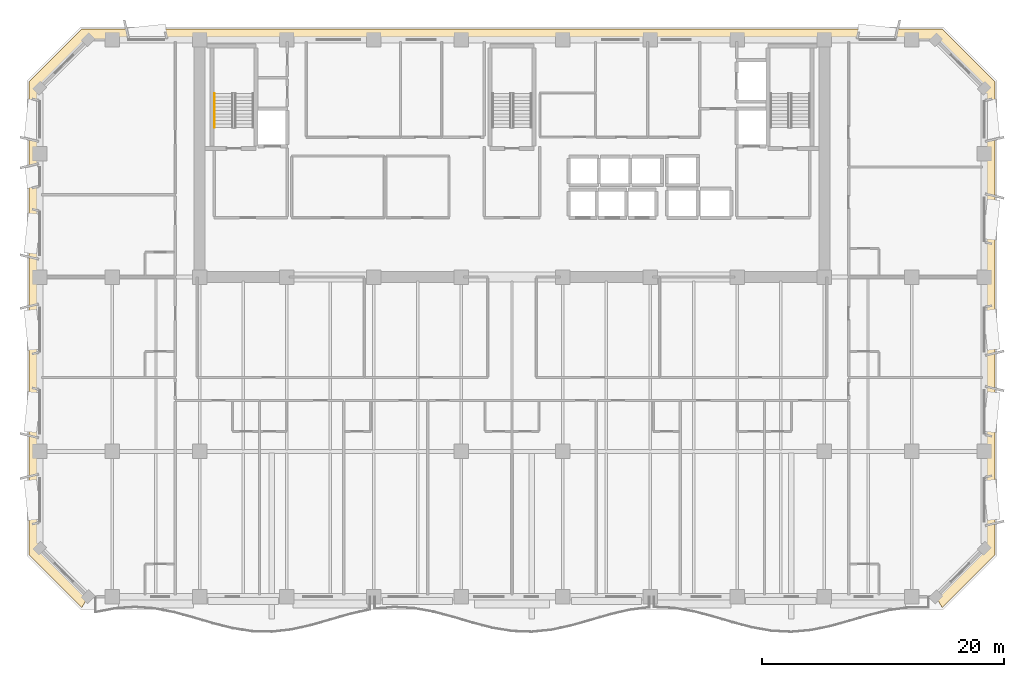
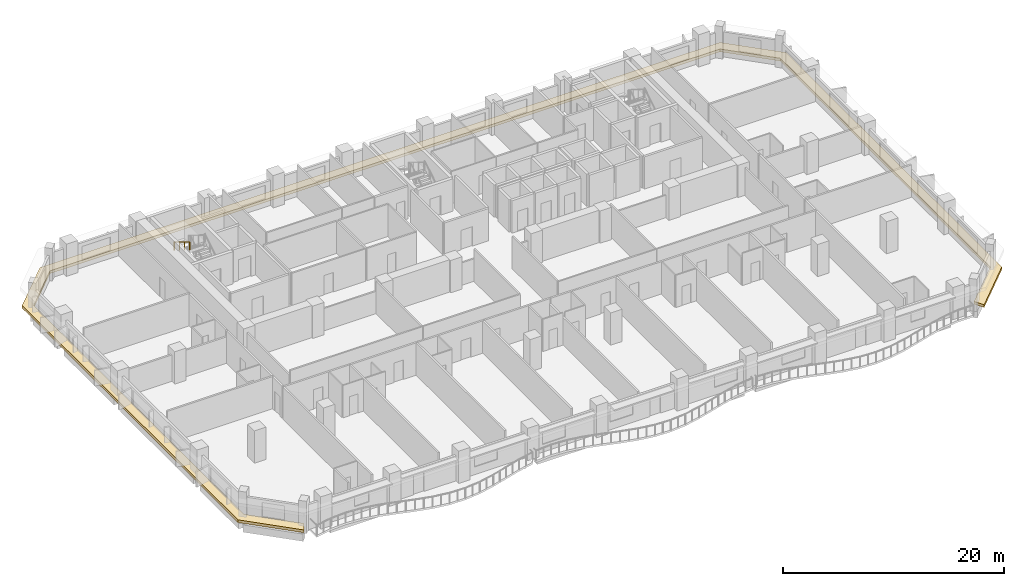
# One storey, part 11 of 14: 1 covering, 1 railing.
"""IFC4 building model written with IfcOpenShell, lengths in metres."""

import ifcopenshell
import ifcopenshell.guid

model = None  # the IFC model being written
_history = None  # IfcOwnerHistory: only IFC2X3 demands one
_inside = {}  # id of a spatial element -> (the spatial element, [elements in it])
_under = {}  # id of a project, library or spatial element -> (it, [spatial elements below it])
_declared = {}  # id of a project -> (the project, [libraries it declares])
_typed = {}  # id of a type object -> (the type object, [elements of that type])
_made_of = {}  # id of a material, layer set ... -> (it, [elements and type objects made of it])


def new_model(schema):
    """Start an empty IFC model of exactly this schema.

    Asked for "IFC4X3", IfcOpenShell would pick the latest addendum, in which some entities
    have other attributes; the version numbers below select the first issue.
    IFC2X3 requires an IfcOwnerHistory on every rooted entity: one is made here for all.
    """
    global model, _history
    if schema == "IFC4X3":
        model = ifcopenshell.file(schema_version=(4, 3, 0, 0))
    else:
        model = ifcopenshell.file(schema=schema)
    _inside.clear()
    _under.clear()
    _declared.clear()
    _typed.clear()
    _made_of.clear()
    _history = None
    if model.schema == "IFC2X3":
        org = make("IfcOrganization", Name="unknown")
        user = make(
            "IfcPersonAndOrganization",
            ThePerson=make("IfcPerson", FamilyName="unknown"),
            TheOrganization=org,
        )
        app = make(
            "IfcApplication",
            ApplicationDeveloper=org,
            Version="unknown",
            ApplicationFullName="unknown",
            ApplicationIdentifier="unknown",
        )
        _history = make(
            "IfcOwnerHistory",
            OwningUser=user,
            OwningApplication=app,
            ChangeAction="ADDED",
            CreationDate=0,
        )
    return model


def make(cls, **values):
    """One entity of the class cls with the attributes given. An attribute that is None is left unset."""
    return model.create_entity(
        cls, **{name: value for name, value in values.items() if value is not None}
    )


def rooted(cls, **values):
    """An entity with a GlobalId (a new one), such as an element, a storey or a relation."""
    return make(cls, GlobalId=ifcopenshell.guid.new(), OwnerHistory=_history, **values)


def si_unit(unit_type, name, prefix=None):
    """IfcSIUnit, for example si_unit("LENGTHUNIT", "METRE", prefix="MILLI")."""
    return make("IfcSIUnit", UnitType=unit_type, Prefix=prefix, Name=name)


def assignment(units):
    """IfcUnitAssignment: the units of a project."""
    return None if units is None else make("IfcUnitAssignment", Units=units)


def point(xyz):
    """IfcCartesianPoint."""
    return None if xyz is None else make("IfcCartesianPoint", Coordinates=xyz)


def direction(xyz):
    """IfcDirection."""
    return None if xyz is None else make("IfcDirection", DirectionRatios=xyz)


def frame(location, z_axis=None, x_axis=None):
    """IfcAxis2Placement3D, a coordinate frame: its origin and axes. An axis left out is left unset."""
    return make(
        "IfcAxis2Placement3D",
        Location=point(location),
        Axis=direction(z_axis),
        RefDirection=direction(x_axis),
    )


def frame_2d(location, x_axis=None):
    """IfcAxis2Placement2D, a coordinate frame in the plane: its origin and x axis."""
    return make(
        "IfcAxis2Placement2D", Location=point(location), RefDirection=direction(x_axis)
    )


def origin():
    """The frame at (0, 0, 0) with its axes left unset."""
    return frame((0.0, 0.0, 0.0))


def origin_2d():
    """The frame at (0, 0) in the plane with its x axis left unset."""
    return frame_2d((0.0, 0.0))


def place(relative_to, where):
    """IfcLocalPlacement: puts the frame where relative to a parent placement (None: the world)."""
    return make(
        "IfcLocalPlacement", PlacementRelTo=relative_to, RelativePlacement=where
    )


def context(
    kind, dimensions, precision=None, world=None, true_north=None, identifier=None
):
    """IfcGeometricRepresentationContext, for example the 3D "Model" context."""
    return make(
        "IfcGeometricRepresentationContext",
        ContextIdentifier=identifier,
        ContextType=kind,
        CoordinateSpaceDimension=dimensions,
        Precision=precision,
        WorldCoordinateSystem=world,
        TrueNorth=true_north,
    )


def subcontext(parent, identifier, kind, view, scale=None):
    """IfcGeometricRepresentationSubContext, for example "Body" below "Model"."""
    return make(
        "IfcGeometricRepresentationSubContext",
        ContextIdentifier=identifier,
        ContextType=kind,
        ParentContext=parent,
        TargetScale=scale,
        TargetView=view,
    )


def project(units=None, contexts=None):
    """IfcProject with its units and contexts."""
    return rooted(
        "IfcProject",
        Name="project",
        RepresentationContexts=contexts,
        UnitsInContext=assignment(units),
    )


def spatial(cls, under=None, at=None, **own):
    """A site, building, storey or space (cls), placed at a placement, below another one or the project."""
    s = rooted(cls, ObjectPlacement=at, **own)
    if under is not None:
        _under.setdefault(under.id(), (under, []))[1].append(s)
    return s


def polyline(points):
    """IfcPolyline through the points."""
    return make("IfcPolyline", Points=[point(p) for p in points])


def profile(cls, at=None, kind="AREA", **sizes):
    """A parametric profile (cls). Its sizes go by their IFC names, for example OverallWidth=200.0."""
    return make(cls, ProfileType=kind, Position=at, **sizes)


def rectangle(**sizes):
    """IfcRectangleProfileDef."""
    return profile("IfcRectangleProfileDef", **sizes)


def outline(outer, holes=None, kind="AREA"):
    """IfcArbitraryClosedProfileDef: a profile drawn as a closed curve; with holes, ...WithVoids."""
    if holes is None:
        return make("IfcArbitraryClosedProfileDef", ProfileType=kind, OuterCurve=outer)
    return make(
        "IfcArbitraryProfileDefWithVoids",
        ProfileType=kind,
        OuterCurve=outer,
        InnerCurves=holes,
    )


def extrude(swept, where, along, depth):
    """IfcExtrudedAreaSolid: the profile swept, set in the frame where, extruded along a direction by depth."""
    return make(
        "IfcExtrudedAreaSolid",
        SweptArea=swept,
        Position=where,
        ExtrudedDirection=direction(along),
        Depth=depth,
    )


def shape(context_of_items, identifier, shape_type, items):
    """IfcShapeRepresentation: the items that make up one representation, for example the "Body"."""
    return make(
        "IfcShapeRepresentation",
        ContextOfItems=context_of_items,
        RepresentationIdentifier=identifier,
        RepresentationType=shape_type,
        Items=items,
    )


def material(Name=None, Category=None):
    """IfcMaterial."""
    return make("IfcMaterial", Name=Name, Category=Category)


def layer(
    of_material, thickness, ventilated=None, Name=None, Category=None, Priority=None
):
    """IfcMaterialLayer: one layer of a wall or slab, of a material (None: an air gap)."""
    return make(
        "IfcMaterialLayer",
        Material=of_material,
        LayerThickness=thickness,
        IsVentilated=ventilated,
        Name=Name,
        Category=Category,
        Priority=Priority,
    )


def layer_set(layers, Name=None):
    """IfcMaterialLayerSet."""
    return make("IfcMaterialLayerSet", MaterialLayers=layers, LayerSetName=Name)


def made_of(thing, what):
    """Note that an element or type object is made of a material, layer set ...; save() writes the relation."""
    if what is not None:
        _made_of.setdefault(what.id(), (what, []))[1].append(thing)
    return thing


def type_object(cls, material=None, **own):
    """A type object (cls), such as IfcWallType, which elements share."""
    return made_of(rooted(cls, **own), material)


def element(
    cls,
    number,
    at=None,
    inside=None,
    cuts=None,
    type_object=None,
    material=None,
    context=None,
    identifier="Body",
    shape_type=None,
    held_by="IfcProductDefinitionShape",
    body=None,
    shapes=None,
    **own,
):
    """One element of the class cls, such as IfcWall. Its Tag is "e" and its number.

    at: its placement. inside: the storey or other place that contains it. cuts: it is an
    opening in that element (IfcRelVoidsElement). A single representation is given by context,
    identifier, shape_type and body (its items); several are given by shapes. held_by: the class
    of the entity that holds the representations. save() writes the other relations.
    """
    e = rooted(cls, Tag="e%d" % number, ObjectPlacement=at, **own)
    if body is not None:
        shapes = [shape(context, identifier, shape_type, body)]
    if shapes is not None:
        e.Representation = make(held_by, Representations=shapes)
    if inside is not None:
        _inside.setdefault(inside.id(), (inside, []))[1].append(e)
    if cuts is not None:
        rooted(
            "IfcRelVoidsElement", RelatingBuildingElement=cuts, RelatedOpeningElement=e
        )
    if type_object is not None:
        _typed.setdefault(type_object.id(), (type_object, []))[1].append(e)
    return made_of(e, material)


def aggregate(whole, parts):
    """IfcRelAggregates: a whole, such as a stair, and the parts it consists of."""
    return rooted("IfcRelAggregates", RelatingObject=whole, RelatedObjects=parts)


def save(model, path):
    """Write the relations noted so far, then the file.

    IfcRelAggregates (storeys below a building ...), IfcRelContainedInSpatialStructure (elements
    in a storey), IfcRelDefinesByType, IfcRelAssociatesMaterial and IfcRelDeclares: one each for
    every whole, place, type object, material and project.
    """
    for whole, parts in _under.values():
        aggregate(whole, parts)
    for where, things in _inside.values():
        rooted(
            "IfcRelContainedInSpatialStructure",
            RelatedElements=things,
            RelatingStructure=where,
        )
    for kind, things in _typed.values():
        rooted("IfcRelDefinesByType", RelatedObjects=things, RelatingType=kind)
    for what, things in _made_of.values():
        rooted("IfcRelAssociatesMaterial", RelatedObjects=things, RelatingMaterial=what)
    for by, libraries in _declared.values():
        rooted("IfcRelDeclares", RelatingContext=by, RelatedDefinitions=libraries)
    model.write(path)


model = new_model("IFC4")

# Units and contexts
model_context = context("Model", 3, precision=1e-05, world=origin(), true_north=direction((0.0, 1.0)))
body_context = subcontext(model_context, "Body", "Model", "MODEL_VIEW")
ifc_project = project(units=[si_unit("LENGTHUNIT", "METRE"), si_unit("AREAUNIT", "SQUARE_METRE"), si_unit("VOLUMEUNIT", "CUBIC_METRE"), si_unit("PLANEANGLEUNIT", "RADIAN"), si_unit("MASSUNIT", "GRAM", prefix="KILO")], contexts=[model_context])

# Site, building, storey
site_placement = place(None, origin())
site = spatial("IfcSite", under=ifc_project, at=site_placement, CompositionType="ELEMENT")
building_placement = place(site_placement, origin())
building = spatial("IfcBuilding", under=site, at=building_placement, Name="Kaelvorn Grand Hotel", CompositionType="ELEMENT")
storey_placement = place(building_placement, frame((0.0, 0.0, 165.75)))
storey = spatial("IfcBuildingStorey", under=building, at=storey_placement, Name="L40", CompositionType="ELEMENT", Elevation=165.75)

# Covering
ifc_material_1 = material(Name="Precast concrete C45/55", Category="concrete")
ifc_layer = layer(ifc_material_1, 0.219970703125)
ifc_layer_set = layer_set([ifc_layer], Name="Precast concrete C45/55")
covering_type = type_object("IfcCoveringType", Name="COV-BAND-STREAMLINE-SILL", PredefinedType="CLADDING", material=ifc_layer_set)
covering_placement = place(storey_placement, frame((0.0, 0.0, 0.449951171875)))
element("IfcCovering", 1, at=covering_placement, inside=storey, type_object=covering_type, Name="L40 Streamline Moderne Wraparound Horizontal Sill Spandrel Band", PredefinedType="CLADDING", context=body_context, shape_type="SweptSolid", body=[
    extrude(outline(polyline([(77.515380859375, 2.1201171875), (81.8798828125, 6.484619140625), (81.8798828125, 45.515380859375), (77.515380859375, 49.8798828125), (6.484619140625, 49.8798828125), (2.1201171875, 45.515380859375), (2.1201171875, 6.484619140625), (6.484619140625, 2.1201171875), (7.017578125, 3.030029296875), (3.030029296875, 7.017578125), (3.030029296875, 44.982421875), (7.017578125, 48.969970703125), (76.982421875, 48.969970703125), (80.969970703125, 44.982421875), (80.969970703125, 7.017578125), (76.982421875, 3.030029296875), (77.515380859375, 2.1201171875)])), origin(), (0.0, 0.0, 1.0), 0.300048828125),
])

# Railing
ifc_material_2 = material(Name="Stainless Steel", Category="steel")
railing_type = type_object("IfcRailingType", Name="RL-HANDRAIL-900", PredefinedType="HANDRAIL", material=ifc_material_2)
railing_placement = place(storey_placement, frame((17.449951171875, 44.56005859375, 2.07275390625)))
element("IfcRailing", 2, at=railing_placement, inside=storey, type_object=railing_type, Name="L40 ST1 stair handrail 2", PredefinedType="HANDRAIL", context=body_context, shape_type="SweptSolid", body=[
    extrude(rectangle(XDim=0.048095703125, YDim=0.048095703125, at=origin_2d()), frame((0.0, 0.0, 0.8759765625), z_axis=(0.0, -0.851089632645, 0.525020415988), x_axis=(1.0, 0.0, 0.0)), (0.0, 0.0, 1.0), 3.2900390625),
    extrude(rectangle(XDim=0.0419921875, YDim=0.0419921875, at=origin_2d()), origin(), (0.0, 0.0, 1.0), 0.851806640625),
    extrude(rectangle(XDim=0.0419921875, YDim=0.0419921875, at=origin_2d()), frame((0.0, -0.933349609375, 0.57568359375)), (0.0, 0.0, 1.0), 0.851806640625),
    extrude(rectangle(XDim=0.0419921875, YDim=0.0419921875, at=origin_2d()), frame((0.0, -1.86669921875, 1.151611328125)), (0.0, 0.0, 1.0), 0.851806640625),
    extrude(rectangle(XDim=0.0419921875, YDim=0.0419921875, at=origin_2d()), frame((0.0, -2.800048828125, 1.727294921875)), (0.0, 0.0, 1.0), 0.851806640625),
])

save(model, "model.ifc")
